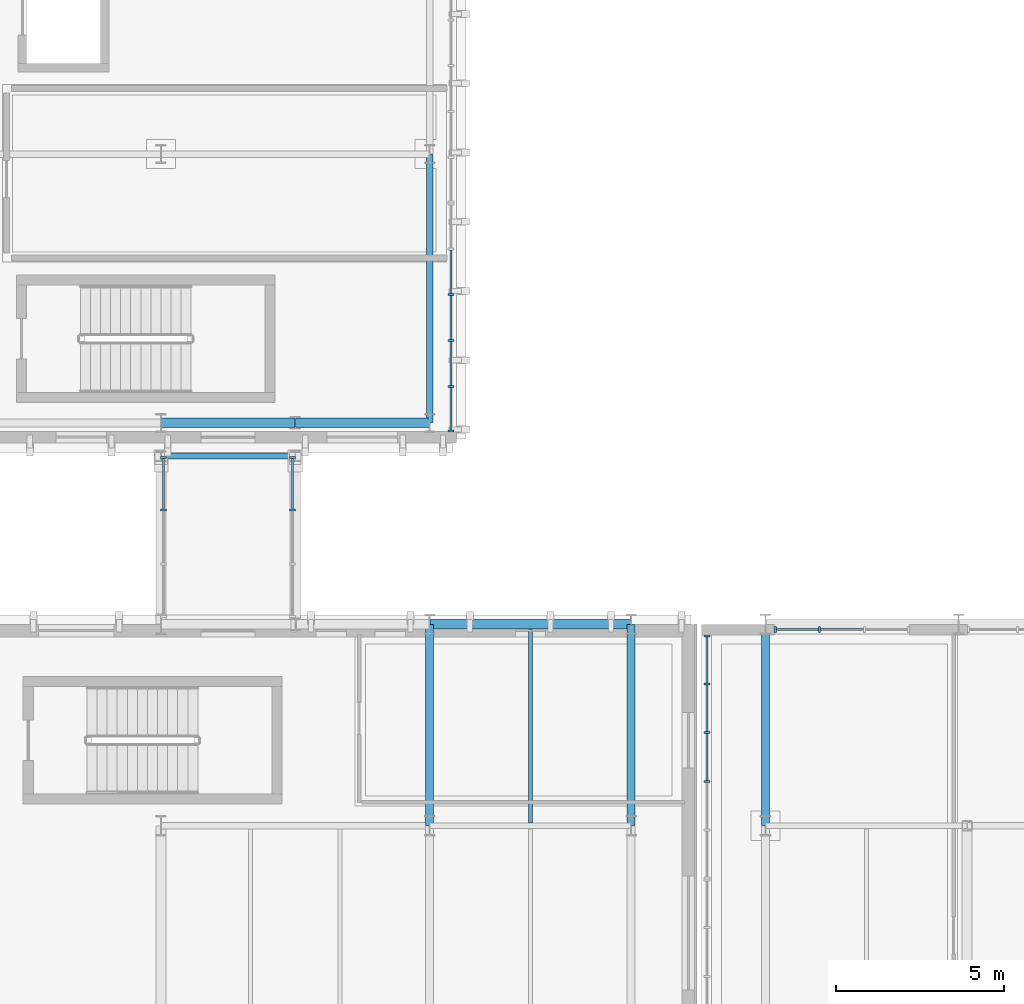
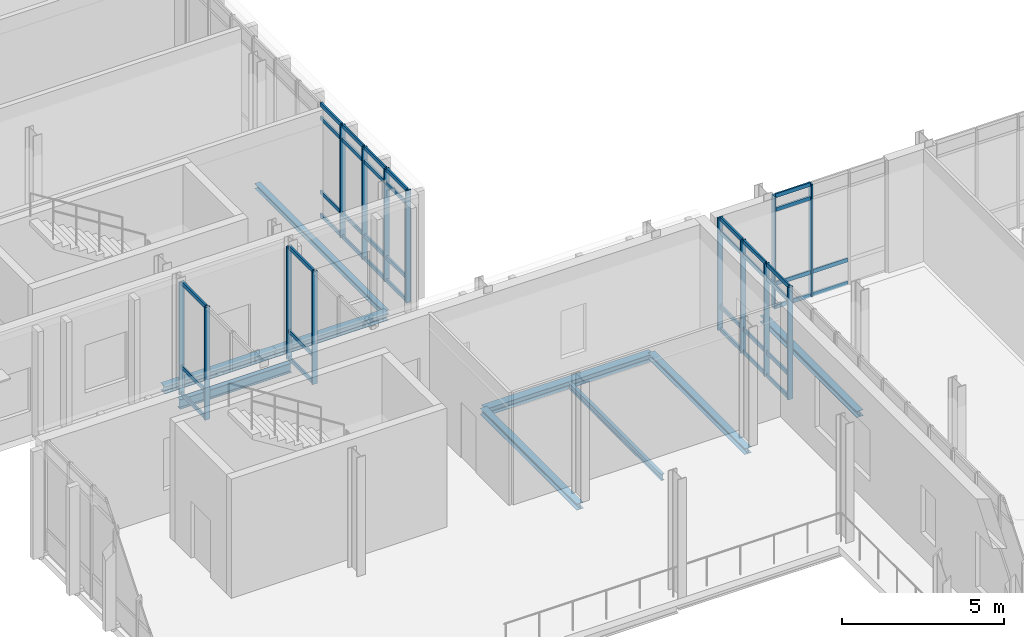
# One storey, part 22 of 100: 54 members, 9 beams, 5 elements without a shape of their own.
"""IFC4 building model written with IfcOpenShell, lengths in metres."""

from ifc_helpers import new_model, si_unit, direction, frame, origin, origin_2d, place, context, subcontext, project, spatial, rectangle, i_section, extrude, material, material_profile, profile_set, type_object, element, aggregate, save


model = new_model("IFC4")

# Units and contexts
model_context = context("Model", 3, precision=1e-05, world=origin(), true_north=direction((0.0, 1.0)))
body_context = subcontext(model_context, "Body", "Model", "MODEL_VIEW")
ifc_project = project(units=[si_unit("LENGTHUNIT", "METRE"), si_unit("AREAUNIT", "SQUARE_METRE"), si_unit("VOLUMEUNIT", "CUBIC_METRE"), si_unit("PLANEANGLEUNIT", "RADIAN"), si_unit("MASSUNIT", "GRAM", prefix="KILO")], contexts=[model_context])

# Site, building, storey
site_placement = place(None, origin())
site = spatial("IfcSite", under=ifc_project, at=site_placement, CompositionType="ELEMENT")
building_placement = place(site_placement, origin())
building = spatial("IfcBuilding", under=site, at=building_placement, Name="Cymarion Research Institute", CompositionType="ELEMENT")
storey_placement = place(building_placement, frame((0.0, 0.0, 4.800048828125)))
storey = spatial("IfcBuildingStorey", under=building, at=storey_placement, Name="L01", CompositionType="ELEMENT", Elevation=4.800048828125)

# Curtain wall, members
ifc_material_1 = material(Name="Anodised aluminium unitised curtain wall with Low-E glazing", Category="aluminium")
curtain_wall_type_1 = type_object("IfcCurtainWallType", Name="UNITISED CURTAIN WALL CW13 4030X4250", PredefinedType="NOTDEFINED", material=ifc_material_1)
curtain_wall_1_placement = place(storey_placement, origin())
curtain_wall_1 = element("IfcCurtainWall", 1, at=curtain_wall_1_placement, inside=storey, type_object=curtain_wall_type_1, Name="L01 V2 unitised curtain wall CW13 #28", PredefinedType="NOTDEFINED")
ifc_material_2 = material(Name="Anodised aluminium framing", Category="aluminium")
ifc_material_profile_1 = material_profile(ifc_material_2, rectangle(XDim=0.06005859375, YDim=0.179931640625, at=origin_2d()), Name="ALU MULLION 60x180")
ifc_profile_set_1 = profile_set([ifc_material_profile_1], Name="Anodised aluminium framing")
member_type_1 = type_object("IfcMemberType", Name="CURTAIN WALL MULLION ML01 60X180", PredefinedType="MULLION", material=ifc_profile_set_1)
member_1_placement = place(storey_placement, frame((58.202392578125, 41.340087890625, 0.0), z_axis=(0.0, 0.0, 1.0), x_axis=(-1.0, 0.0, 0.0)))
member_1 = element("IfcMember", 2, at=member_1_placement, type_object=member_type_1, Name="CW13 mullion 3", PredefinedType="MULLION", context=body_context, shape_type="SweptSolid", body=[
    extrude(rectangle(XDim=0.06005859375, YDim=0.179931640625, at=origin_2d()), origin(), (0.0, 0.0, 1.0), 4.25),
])
member_2_placement = place(storey_placement, frame((56.889892578125, 41.340087890625, 0.0), z_axis=(0.0, 0.0, 1.0), x_axis=(-1.0, 0.0, 0.0)))
member_2 = element("IfcMember", 3, at=member_2_placement, type_object=member_type_1, Name="CW13 mullion 4", PredefinedType="MULLION", context=body_context, shape_type="SweptSolid", body=[
    extrude(rectangle(XDim=0.06005859375, YDim=0.179931640625, at=origin_2d()), origin(), (0.0, 0.0, 1.0), 4.25),
])

curtain_wall_type_2 = type_object("IfcCurtainWallType", Name="UNITISED CURTAIN WALL CW14 7260X4250", PredefinedType="NOTDEFINED", material=ifc_material_1)
curtain_wall_2_placement = place(storey_placement, origin())
curtain_wall_2 = element("IfcCurtainWall", 4, at=curtain_wall_2_placement, inside=storey, type_object=curtain_wall_type_2, Name="L01 V2 unitised curtain wall CW14 #29", PredefinedType="NOTDEFINED")
member_3_placement = place(storey_placement, frame((54.860107421875, 41.14990234375, 0.0), z_axis=(0.0, 0.0, 1.0), x_axis=(0.0, -1.0, 0.0)))
member_3 = element("IfcMember", 5, at=member_3_placement, type_object=member_type_1, Name="CW14 mullion 1", PredefinedType="MULLION", context=body_context, shape_type="SweptSolid", body=[
    extrude(rectangle(XDim=0.06005859375, YDim=0.179931640625, at=origin_2d()), origin(), (0.0, 0.0, 1.0), 4.25),
])
member_4_placement = place(storey_placement, frame((54.860107421875, 39.728759765625, 0.0), z_axis=(0.0, 0.0, 1.0), x_axis=(0.0, -1.0, 0.0)))
member_4 = element("IfcMember", 6, at=member_4_placement, type_object=member_type_1, Name="CW14 mullion 2", PredefinedType="MULLION", context=body_context, shape_type="SweptSolid", body=[
    extrude(rectangle(XDim=0.06005859375, YDim=0.179931640625, at=origin_2d()), origin(), (0.0, 0.0, 1.0), 4.25),
])
member_5_placement = place(storey_placement, frame((54.860107421875, 38.277587890625, 0.0), z_axis=(0.0, 0.0, 1.0), x_axis=(0.0, -1.0, 0.0)))
member_5 = element("IfcMember", 7, at=member_5_placement, type_object=member_type_1, Name="CW14 mullion 3", PredefinedType="MULLION", context=body_context, shape_type="SweptSolid", body=[
    extrude(rectangle(XDim=0.06005859375, YDim=0.179931640625, at=origin_2d()), origin(), (0.0, 0.0, 1.0), 4.25),
])
member_6_placement = place(storey_placement, frame((54.860107421875, 36.826416015625, 0.0), z_axis=(0.0, 0.0, 1.0), x_axis=(0.0, -1.0, 0.0)))
member_6 = element("IfcMember", 8, at=member_6_placement, type_object=member_type_1, Name="CW14 mullion 4", PredefinedType="MULLION", context=body_context, shape_type="SweptSolid", body=[
    extrude(rectangle(XDim=0.06005859375, YDim=0.179931640625, at=origin_2d()), origin(), (0.0, 0.0, 1.0), 4.25),
])

curtain_wall_type_3 = type_object("IfcCurtainWallType", Name="UNITISED CURTAIN WALL CW20 6820X4250", PredefinedType="NOTDEFINED", material=ifc_material_1)
curtain_wall_3_placement = place(storey_placement, origin())
curtain_wall_3 = element("IfcCurtainWall", 9, at=curtain_wall_3_placement, inside=storey, type_object=curtain_wall_type_3, Name="L01 V4 unitised curtain wall CW20 #39", PredefinedType="NOTDEFINED")
member_7_placement = place(storey_placement, frame((47.22998046875, 47.251953125, 0.0), z_axis=(0.0, 0.0, 1.0), x_axis=(0.0, 1.0, 0.0)))
member_7 = element("IfcMember", 10, at=member_7_placement, type_object=member_type_1, Name="CW20 mullion 1", PredefinedType="MULLION", context=body_context, shape_type="SweptSolid", body=[
    extrude(rectangle(XDim=0.06005859375, YDim=0.179931640625, at=origin_2d()), origin(), (0.0, 0.0, 1.0), 4.25),
])
member_8_placement = place(storey_placement, frame((47.22998046875, 48.5859375, 0.0), z_axis=(0.0, 0.0, 1.0), x_axis=(0.0, 1.0, 0.0)))
member_8 = element("IfcMember", 11, at=member_8_placement, type_object=member_type_1, Name="CW20 mullion 2", PredefinedType="MULLION", context=body_context, shape_type="SweptSolid", body=[
    extrude(rectangle(XDim=0.06005859375, YDim=0.179931640625, at=origin_2d()), origin(), (0.0, 0.0, 1.0), 4.25),
])
member_9_placement = place(storey_placement, frame((47.22998046875, 49.94970703125, 0.0), z_axis=(0.0, 0.0, 1.0), x_axis=(0.0, 1.0, 0.0)))
member_9 = element("IfcMember", 12, at=member_9_placement, type_object=member_type_1, Name="CW20 mullion 3", PredefinedType="MULLION", context=body_context, shape_type="SweptSolid", body=[
    extrude(rectangle(XDim=0.06005859375, YDim=0.179931640625, at=origin_2d()), origin(), (0.0, 0.0, 1.0), 4.25),
])
member_10_placement = place(storey_placement, frame((47.22998046875, 51.313720703125, 0.0), z_axis=(0.0, 0.0, 1.0), x_axis=(0.0, 1.0, 0.0)))
member_10 = element("IfcMember", 13, at=member_10_placement, type_object=member_type_1, Name="CW20 mullion 4", PredefinedType="MULLION", context=body_context, shape_type="SweptSolid", body=[
    extrude(rectangle(XDim=0.06005859375, YDim=0.179931640625, at=origin_2d()), origin(), (0.0, 0.0, 1.0), 4.25),
])

curtain_wall_type_4 = type_object("IfcCurtainWallType", Name="UNITISED CURTAIN WALL CW24 4800X4260", PredefinedType="NOTDEFINED", material=ifc_material_1)
curtain_wall_4_placement = place(storey_placement, origin())
curtain_wall_4 = element("IfcCurtainWall", 14, at=curtain_wall_4_placement, inside=storey, type_object=curtain_wall_type_4, Name="L01 SP1 sky-passage glazed wall 1", PredefinedType="NOTDEFINED")
member_11_placement = place(storey_placement, frame((38.679931640625, 44.89990234375, 0.0), z_axis=(0.0, 0.0, 1.0), x_axis=(0.0, 1.0, 0.0)))
member_11 = element("IfcMember", 15, at=member_11_placement, type_object=member_type_1, Name="CW24 mullion 3", PredefinedType="MULLION", context=body_context, shape_type="SweptSolid", body=[
    extrude(rectangle(XDim=0.06005859375, YDim=0.179931640625, at=origin_2d()), origin(), (0.0, 0.0, 1.0), 4.260009765625),
])
member_12_placement = place(storey_placement, frame((38.679931640625, 46.469970703125, 0.0), z_axis=(0.0, 0.0, 1.0), x_axis=(0.0, 1.0, 0.0)))
member_12 = element("IfcMember", 16, at=member_12_placement, type_object=member_type_1, Name="CW24 mullion 4", PredefinedType="MULLION", context=body_context, shape_type="SweptSolid", body=[
    extrude(rectangle(XDim=0.06005859375, YDim=0.179931640625, at=origin_2d()), origin(), (0.0, 0.0, 1.0), 4.260009765625),
])

curtain_wall_5_placement = place(storey_placement, origin())
curtain_wall_5 = element("IfcCurtainWall", 17, at=curtain_wall_5_placement, inside=storey, type_object=curtain_wall_type_4, Name="L01 SP1 sky-passage glazed wall 2", PredefinedType="NOTDEFINED")
member_13_placement = place(storey_placement, frame((42.52001953125, 44.89990234375, 0.0), z_axis=(0.0, 0.0, 1.0), x_axis=(0.0, 1.0, 0.0)))
member_13 = element("IfcMember", 18, at=member_13_placement, type_object=member_type_1, Name="CW24 mullion 3", PredefinedType="MULLION", context=body_context, shape_type="SweptSolid", body=[
    extrude(rectangle(XDim=0.06005859375, YDim=0.179931640625, at=origin_2d()), origin(), (0.0, 0.0, 1.0), 4.260009765625),
])
member_14_placement = place(storey_placement, frame((42.52001953125, 46.469970703125, 0.0), z_axis=(0.0, 0.0, 1.0), x_axis=(0.0, 1.0, 0.0)))
member_14 = element("IfcMember", 19, at=member_14_placement, type_object=member_type_1, Name="CW24 mullion 4", PredefinedType="MULLION", context=body_context, shape_type="SweptSolid", body=[
    extrude(rectangle(XDim=0.06005859375, YDim=0.179931640625, at=origin_2d()), origin(), (0.0, 0.0, 1.0), 4.260009765625),
])

# Member
ifc_material_profile_2 = material_profile(ifc_material_2, rectangle(XDim=0.06005859375, YDim=0.14990234375, at=origin_2d()), Name="ALU TRANSOM 60x150")
ifc_profile_set_2 = profile_set([ifc_material_profile_2], Name="Anodised aluminium framing")
member_type_2 = type_object("IfcMemberType", Name="CURTAIN WALL TRANSOM TR01 60X150", PredefinedType="USERDEFINED", material=ifc_profile_set_2)
member_15_placement = place(storey_placement, frame((59.514892578125, 41.340087890625, 0.030029296875), z_axis=(-1.0, 0.0, 0.0), x_axis=(0.0, -1.0, 0.0)))
member_15 = element("IfcMember", 20, at=member_15_placement, type_object=member_type_2, Name="CW13 transom 2.1", ObjectType="TRANSOM", PredefinedType="USERDEFINED", context=body_context, shape_type="SweptSolid", body=[
    extrude(rectangle(XDim=0.06005859375, YDim=0.14990234375, at=origin_2d()), origin(), (0.0, 0.0, 1.0), 1.282470703125),
])

member_16_placement = place(storey_placement, frame((59.514892578125, 41.340087890625, 0.89990234375), z_axis=(-1.0, 0.0, 0.0), x_axis=(0.0, -1.0, 0.0)))
member_16 = element("IfcMember", 21, at=member_16_placement, type_object=member_type_2, Name="CW13 transom 2.2", ObjectType="TRANSOM", PredefinedType="USERDEFINED", context=body_context, shape_type="SweptSolid", body=[
    extrude(rectangle(XDim=0.06005859375, YDim=0.14990234375, at=origin_2d()), origin(), (0.0, 0.0, 1.0), 1.282470703125),
])

member_17_placement = place(storey_placement, frame((58.17236328125, 41.340087890625, 0.030029296875), z_axis=(-1.0, 0.0, 0.0), x_axis=(0.0, -1.0, 0.0)))
member_17 = element("IfcMember", 22, at=member_17_placement, type_object=member_type_2, Name="CW13 transom 3.1", ObjectType="TRANSOM", PredefinedType="USERDEFINED", context=body_context, shape_type="SweptSolid", body=[
    extrude(rectangle(XDim=0.06005859375, YDim=0.14990234375, at=origin_2d()), origin(), (0.0, 0.0, 1.0), 1.25244140625),
])

member_18_placement = place(storey_placement, frame((58.17236328125, 41.340087890625, 0.89990234375), z_axis=(-1.0, 0.0, 0.0), x_axis=(0.0, -1.0, 0.0)))
member_18 = element("IfcMember", 23, at=member_18_placement, type_object=member_type_2, Name="CW13 transom 3.2", ObjectType="TRANSOM", PredefinedType="USERDEFINED", context=body_context, shape_type="SweptSolid", body=[
    extrude(rectangle(XDim=0.06005859375, YDim=0.14990234375, at=origin_2d()), origin(), (0.0, 0.0, 1.0), 1.25244140625),
])

member_19_placement = place(storey_placement, frame((58.17236328125, 41.340087890625, 3.699951171875), z_axis=(-1.0, 0.0, 0.0), x_axis=(0.0, -1.0, 0.0)))
member_19 = element("IfcMember", 24, at=member_19_placement, type_object=member_type_2, Name="CW13 transom 3.3", ObjectType="TRANSOM", PredefinedType="USERDEFINED", context=body_context, shape_type="SweptSolid", body=[
    extrude(rectangle(XDim=0.06005859375, YDim=0.14990234375, at=origin_2d()), origin(), (0.0, 0.0, 1.0), 1.25244140625),
])

member_20_placement = place(storey_placement, frame((58.17236328125, 41.340087890625, 4.219970703125), z_axis=(-1.0, 0.0, 0.0), x_axis=(0.0, -1.0, 0.0)))
member_20 = element("IfcMember", 25, at=member_20_placement, type_object=member_type_2, Name="CW13 transom 3.4", ObjectType="TRANSOM", PredefinedType="USERDEFINED", context=body_context, shape_type="SweptSolid", body=[
    extrude(rectangle(XDim=0.06005859375, YDim=0.14990234375, at=origin_2d()), origin(), (0.0, 0.0, 1.0), 1.25244140625),
])

aggregate(curtain_wall_1, [member_1, member_2, member_15, member_16, member_17, member_18, member_19, member_20])

member_21_placement = place(storey_placement, frame((54.860107421875, 41.1201171875, 0.030029296875), z_axis=(0.0, -1.0, 0.0), x_axis=(1.0, 0.0, 0.0)))
member_21 = element("IfcMember", 26, at=member_21_placement, type_object=member_type_2, Name="CW14 transom 1.1", ObjectType="TRANSOM", PredefinedType="USERDEFINED", context=body_context, shape_type="SweptSolid", body=[
    extrude(rectangle(XDim=0.06005859375, YDim=0.14990234375, at=origin_2d()), origin(), (0.0, 0.0, 1.0), 1.361328125),
])

member_22_placement = place(storey_placement, frame((54.860107421875, 41.1201171875, 0.89990234375), z_axis=(0.0, -1.0, 0.0), x_axis=(1.0, 0.0, 0.0)))
member_22 = element("IfcMember", 27, at=member_22_placement, type_object=member_type_2, Name="CW14 transom 1.2", ObjectType="TRANSOM", PredefinedType="USERDEFINED", context=body_context, shape_type="SweptSolid", body=[
    extrude(rectangle(XDim=0.06005859375, YDim=0.14990234375, at=origin_2d()), origin(), (0.0, 0.0, 1.0), 1.361328125),
])

member_23_placement = place(storey_placement, frame((54.860107421875, 41.1201171875, 3.699951171875), z_axis=(0.0, -1.0, 0.0), x_axis=(1.0, 0.0, 0.0)))
member_23 = element("IfcMember", 28, at=member_23_placement, type_object=member_type_2, Name="CW14 transom 1.3", ObjectType="TRANSOM", PredefinedType="USERDEFINED", context=body_context, shape_type="SweptSolid", body=[
    extrude(rectangle(XDim=0.06005859375, YDim=0.14990234375, at=origin_2d()), origin(), (0.0, 0.0, 1.0), 1.361328125),
])

member_24_placement = place(storey_placement, frame((54.860107421875, 41.1201171875, 4.219970703125), z_axis=(0.0, -1.0, 0.0), x_axis=(1.0, 0.0, 0.0)))
member_24 = element("IfcMember", 29, at=member_24_placement, type_object=member_type_2, Name="CW14 transom 1.4", ObjectType="TRANSOM", PredefinedType="USERDEFINED", context=body_context, shape_type="SweptSolid", body=[
    extrude(rectangle(XDim=0.06005859375, YDim=0.14990234375, at=origin_2d()), origin(), (0.0, 0.0, 1.0), 1.361328125),
])

member_25_placement = place(storey_placement, frame((54.860107421875, 39.69873046875, 0.030029296875), z_axis=(0.0, -1.0, 0.0), x_axis=(1.0, 0.0, 0.0)))
member_25 = element("IfcMember", 30, at=member_25_placement, type_object=member_type_2, Name="CW14 transom 2.1", ObjectType="TRANSOM", PredefinedType="USERDEFINED", context=body_context, shape_type="SweptSolid", body=[
    extrude(rectangle(XDim=0.06005859375, YDim=0.14990234375, at=origin_2d()), origin(), (0.0, 0.0, 1.0), 1.39111328125),
])

member_26_placement = place(storey_placement, frame((54.860107421875, 39.69873046875, 0.89990234375), z_axis=(0.0, -1.0, 0.0), x_axis=(1.0, 0.0, 0.0)))
member_26 = element("IfcMember", 31, at=member_26_placement, type_object=member_type_2, Name="CW14 transom 2.2", ObjectType="TRANSOM", PredefinedType="USERDEFINED", context=body_context, shape_type="SweptSolid", body=[
    extrude(rectangle(XDim=0.06005859375, YDim=0.14990234375, at=origin_2d()), origin(), (0.0, 0.0, 1.0), 1.39111328125),
])

member_27_placement = place(storey_placement, frame((54.860107421875, 39.69873046875, 3.699951171875), z_axis=(0.0, -1.0, 0.0), x_axis=(1.0, 0.0, 0.0)))
member_27 = element("IfcMember", 32, at=member_27_placement, type_object=member_type_2, Name="CW14 transom 2.3", ObjectType="TRANSOM", PredefinedType="USERDEFINED", context=body_context, shape_type="SweptSolid", body=[
    extrude(rectangle(XDim=0.06005859375, YDim=0.14990234375, at=origin_2d()), origin(), (0.0, 0.0, 1.0), 1.39111328125),
])

member_28_placement = place(storey_placement, frame((54.860107421875, 39.69873046875, 4.219970703125), z_axis=(0.0, -1.0, 0.0), x_axis=(1.0, 0.0, 0.0)))
member_28 = element("IfcMember", 33, at=member_28_placement, type_object=member_type_2, Name="CW14 transom 2.4", ObjectType="TRANSOM", PredefinedType="USERDEFINED", context=body_context, shape_type="SweptSolid", body=[
    extrude(rectangle(XDim=0.06005859375, YDim=0.14990234375, at=origin_2d()), origin(), (0.0, 0.0, 1.0), 1.39111328125),
])

member_29_placement = place(storey_placement, frame((54.860107421875, 38.24755859375, 0.030029296875), z_axis=(0.0, -1.0, 0.0), x_axis=(1.0, 0.0, 0.0)))
member_29 = element("IfcMember", 34, at=member_29_placement, type_object=member_type_2, Name="CW14 transom 3.1", ObjectType="TRANSOM", PredefinedType="USERDEFINED", context=body_context, shape_type="SweptSolid", body=[
    extrude(rectangle(XDim=0.06005859375, YDim=0.14990234375, at=origin_2d()), origin(), (0.0, 0.0, 1.0), 1.39111328125),
])

member_30_placement = place(storey_placement, frame((54.860107421875, 38.24755859375, 0.89990234375), z_axis=(0.0, -1.0, 0.0), x_axis=(1.0, 0.0, 0.0)))
member_30 = element("IfcMember", 35, at=member_30_placement, type_object=member_type_2, Name="CW14 transom 3.2", ObjectType="TRANSOM", PredefinedType="USERDEFINED", context=body_context, shape_type="SweptSolid", body=[
    extrude(rectangle(XDim=0.06005859375, YDim=0.14990234375, at=origin_2d()), origin(), (0.0, 0.0, 1.0), 1.39111328125),
])

member_31_placement = place(storey_placement, frame((54.860107421875, 38.24755859375, 3.699951171875), z_axis=(0.0, -1.0, 0.0), x_axis=(1.0, 0.0, 0.0)))
member_31 = element("IfcMember", 36, at=member_31_placement, type_object=member_type_2, Name="CW14 transom 3.3", ObjectType="TRANSOM", PredefinedType="USERDEFINED", context=body_context, shape_type="SweptSolid", body=[
    extrude(rectangle(XDim=0.06005859375, YDim=0.14990234375, at=origin_2d()), origin(), (0.0, 0.0, 1.0), 1.39111328125),
])

member_32_placement = place(storey_placement, frame((54.860107421875, 38.24755859375, 4.219970703125), z_axis=(0.0, -1.0, 0.0), x_axis=(1.0, 0.0, 0.0)))
member_32 = element("IfcMember", 37, at=member_32_placement, type_object=member_type_2, Name="CW14 transom 3.4", ObjectType="TRANSOM", PredefinedType="USERDEFINED", context=body_context, shape_type="SweptSolid", body=[
    extrude(rectangle(XDim=0.06005859375, YDim=0.14990234375, at=origin_2d()), origin(), (0.0, 0.0, 1.0), 1.39111328125),
])

aggregate(curtain_wall_2, [member_3, member_4, member_5, member_6, member_21, member_22, member_23, member_24, member_25, member_26, member_27, member_28, member_29, member_30, member_31, member_32])

member_33_placement = place(storey_placement, frame((47.22998046875, 47.281982421875, 0.030029296875), z_axis=(0.0, 1.0, 0.0), x_axis=(-1.0, 0.0, 0.0)))
member_33 = element("IfcMember", 38, at=member_33_placement, type_object=member_type_2, Name="CW20 transom 1.1", ObjectType="TRANSOM", PredefinedType="USERDEFINED", context=body_context, shape_type="SweptSolid", body=[
    extrude(rectangle(XDim=0.06005859375, YDim=0.14990234375, at=origin_2d()), origin(), (0.0, 0.0, 1.0), 1.27392578125),
])

member_34_placement = place(storey_placement, frame((47.22998046875, 47.281982421875, 0.89990234375), z_axis=(0.0, 1.0, 0.0), x_axis=(-1.0, 0.0, 0.0)))
member_34 = element("IfcMember", 39, at=member_34_placement, type_object=member_type_2, Name="CW20 transom 1.2", ObjectType="TRANSOM", PredefinedType="USERDEFINED", context=body_context, shape_type="SweptSolid", body=[
    extrude(rectangle(XDim=0.06005859375, YDim=0.14990234375, at=origin_2d()), origin(), (0.0, 0.0, 1.0), 1.27392578125),
])

member_35_placement = place(storey_placement, frame((47.22998046875, 47.281982421875, 3.699951171875), z_axis=(0.0, 1.0, 0.0), x_axis=(-1.0, 0.0, 0.0)))
member_35 = element("IfcMember", 40, at=member_35_placement, type_object=member_type_2, Name="CW20 transom 1.3", ObjectType="TRANSOM", PredefinedType="USERDEFINED", context=body_context, shape_type="SweptSolid", body=[
    extrude(rectangle(XDim=0.06005859375, YDim=0.14990234375, at=origin_2d()), origin(), (0.0, 0.0, 1.0), 1.27392578125),
])

member_36_placement = place(storey_placement, frame((47.22998046875, 47.281982421875, 4.219970703125), z_axis=(0.0, 1.0, 0.0), x_axis=(-1.0, 0.0, 0.0)))
member_36 = element("IfcMember", 41, at=member_36_placement, type_object=member_type_2, Name="CW20 transom 1.4", ObjectType="TRANSOM", PredefinedType="USERDEFINED", context=body_context, shape_type="SweptSolid", body=[
    extrude(rectangle(XDim=0.06005859375, YDim=0.14990234375, at=origin_2d()), origin(), (0.0, 0.0, 1.0), 1.27392578125),
])

member_37_placement = place(storey_placement, frame((47.22998046875, 48.615966796875, 0.030029296875), z_axis=(0.0, 1.0, 0.0), x_axis=(-1.0, 0.0, 0.0)))
member_37 = element("IfcMember", 42, at=member_37_placement, type_object=member_type_2, Name="CW20 transom 2.1", ObjectType="TRANSOM", PredefinedType="USERDEFINED", context=body_context, shape_type="SweptSolid", body=[
    extrude(rectangle(XDim=0.06005859375, YDim=0.14990234375, at=origin_2d()), origin(), (0.0, 0.0, 1.0), 1.303955078125),
])

member_38_placement = place(storey_placement, frame((47.22998046875, 48.615966796875, 0.89990234375), z_axis=(0.0, 1.0, 0.0), x_axis=(-1.0, 0.0, 0.0)))
member_38 = element("IfcMember", 43, at=member_38_placement, type_object=member_type_2, Name="CW20 transom 2.2", ObjectType="TRANSOM", PredefinedType="USERDEFINED", context=body_context, shape_type="SweptSolid", body=[
    extrude(rectangle(XDim=0.06005859375, YDim=0.14990234375, at=origin_2d()), origin(), (0.0, 0.0, 1.0), 1.303955078125),
])

member_39_placement = place(storey_placement, frame((47.22998046875, 48.615966796875, 3.699951171875), z_axis=(0.0, 1.0, 0.0), x_axis=(-1.0, 0.0, 0.0)))
member_39 = element("IfcMember", 44, at=member_39_placement, type_object=member_type_2, Name="CW20 transom 2.3", ObjectType="TRANSOM", PredefinedType="USERDEFINED", context=body_context, shape_type="SweptSolid", body=[
    extrude(rectangle(XDim=0.06005859375, YDim=0.14990234375, at=origin_2d()), origin(), (0.0, 0.0, 1.0), 1.303955078125),
])

member_40_placement = place(storey_placement, frame((47.22998046875, 48.615966796875, 4.219970703125), z_axis=(0.0, 1.0, 0.0), x_axis=(-1.0, 0.0, 0.0)))
member_40 = element("IfcMember", 45, at=member_40_placement, type_object=member_type_2, Name="CW20 transom 2.4", ObjectType="TRANSOM", PredefinedType="USERDEFINED", context=body_context, shape_type="SweptSolid", body=[
    extrude(rectangle(XDim=0.06005859375, YDim=0.14990234375, at=origin_2d()), origin(), (0.0, 0.0, 1.0), 1.303955078125),
])

member_41_placement = place(storey_placement, frame((47.22998046875, 49.979736328125, 0.030029296875), z_axis=(0.0, 1.0, 0.0), x_axis=(-1.0, 0.0, 0.0)))
member_41 = element("IfcMember", 46, at=member_41_placement, type_object=member_type_2, Name="CW20 transom 3.1", ObjectType="TRANSOM", PredefinedType="USERDEFINED", context=body_context, shape_type="SweptSolid", body=[
    extrude(rectangle(XDim=0.06005859375, YDim=0.14990234375, at=origin_2d()), origin(), (0.0, 0.0, 1.0), 1.303955078125),
])

member_42_placement = place(storey_placement, frame((47.22998046875, 49.979736328125, 0.89990234375), z_axis=(0.0, 1.0, 0.0), x_axis=(-1.0, 0.0, 0.0)))
member_42 = element("IfcMember", 47, at=member_42_placement, type_object=member_type_2, Name="CW20 transom 3.2", ObjectType="TRANSOM", PredefinedType="USERDEFINED", context=body_context, shape_type="SweptSolid", body=[
    extrude(rectangle(XDim=0.06005859375, YDim=0.14990234375, at=origin_2d()), origin(), (0.0, 0.0, 1.0), 1.303955078125),
])

member_43_placement = place(storey_placement, frame((47.22998046875, 49.979736328125, 3.699951171875), z_axis=(0.0, 1.0, 0.0), x_axis=(-1.0, 0.0, 0.0)))
member_43 = element("IfcMember", 48, at=member_43_placement, type_object=member_type_2, Name="CW20 transom 3.3", ObjectType="TRANSOM", PredefinedType="USERDEFINED", context=body_context, shape_type="SweptSolid", body=[
    extrude(rectangle(XDim=0.06005859375, YDim=0.14990234375, at=origin_2d()), origin(), (0.0, 0.0, 1.0), 1.303955078125),
])

member_44_placement = place(storey_placement, frame((47.22998046875, 49.979736328125, 4.219970703125), z_axis=(0.0, 1.0, 0.0), x_axis=(-1.0, 0.0, 0.0)))
member_44 = element("IfcMember", 49, at=member_44_placement, type_object=member_type_2, Name="CW20 transom 3.4", ObjectType="TRANSOM", PredefinedType="USERDEFINED", context=body_context, shape_type="SweptSolid", body=[
    extrude(rectangle(XDim=0.06005859375, YDim=0.14990234375, at=origin_2d()), origin(), (0.0, 0.0, 1.0), 1.303955078125),
])

member_45_placement = place(storey_placement, frame((47.22998046875, 51.34375, 0.030029296875), z_axis=(0.0, 1.0, 0.0), x_axis=(-1.0, 0.0, 0.0)))
member_45 = element("IfcMember", 50, at=member_45_placement, type_object=member_type_2, Name="CW20 transom 4.1", ObjectType="TRANSOM", PredefinedType="USERDEFINED", context=body_context, shape_type="SweptSolid", body=[
    extrude(rectangle(XDim=0.06005859375, YDim=0.14990234375, at=origin_2d()), origin(), (0.0, 0.0, 1.0), 1.303955078125),
])

member_46_placement = place(storey_placement, frame((47.22998046875, 51.34375, 0.89990234375), z_axis=(0.0, 1.0, 0.0), x_axis=(-1.0, 0.0, 0.0)))
member_46 = element("IfcMember", 51, at=member_46_placement, type_object=member_type_2, Name="CW20 transom 4.2", ObjectType="TRANSOM", PredefinedType="USERDEFINED", context=body_context, shape_type="SweptSolid", body=[
    extrude(rectangle(XDim=0.06005859375, YDim=0.14990234375, at=origin_2d()), origin(), (0.0, 0.0, 1.0), 1.303955078125),
])

member_47_placement = place(storey_placement, frame((47.22998046875, 51.34375, 3.699951171875), z_axis=(0.0, 1.0, 0.0), x_axis=(-1.0, 0.0, 0.0)))
member_47 = element("IfcMember", 52, at=member_47_placement, type_object=member_type_2, Name="CW20 transom 4.3", ObjectType="TRANSOM", PredefinedType="USERDEFINED", context=body_context, shape_type="SweptSolid", body=[
    extrude(rectangle(XDim=0.06005859375, YDim=0.14990234375, at=origin_2d()), origin(), (0.0, 0.0, 1.0), 1.303955078125),
])

member_48_placement = place(storey_placement, frame((47.22998046875, 51.34375, 4.219970703125), z_axis=(0.0, 1.0, 0.0), x_axis=(-1.0, 0.0, 0.0)))
member_48 = element("IfcMember", 53, at=member_48_placement, type_object=member_type_2, Name="CW20 transom 4.4", ObjectType="TRANSOM", PredefinedType="USERDEFINED", context=body_context, shape_type="SweptSolid", body=[
    extrude(rectangle(XDim=0.06005859375, YDim=0.14990234375, at=origin_2d()), origin(), (0.0, 0.0, 1.0), 1.303955078125),
])

aggregate(curtain_wall_3, [member_7, member_8, member_9, member_10, member_33, member_34, member_35, member_36, member_37, member_38, member_39, member_40, member_41, member_42, member_43, member_44, member_45, member_46, member_47, member_48])

member_49_placement = place(storey_placement, frame((38.679931640625, 44.929931640625, 0.030029296875), z_axis=(0.0, 1.0, 0.0), x_axis=(-1.0, 0.0, 0.0)))
member_49 = element("IfcMember", 54, at=member_49_placement, type_object=member_type_2, Name="CW24 transom 3.1", ObjectType="TRANSOM", PredefinedType="USERDEFINED", context=body_context, shape_type="SweptSolid", body=[
    extrude(rectangle(XDim=0.06005859375, YDim=0.14990234375, at=origin_2d()), origin(), (0.0, 0.0, 1.0), 1.510009765625),
])

member_50_placement = place(storey_placement, frame((38.679931640625, 44.929931640625, 1.050048828125), z_axis=(0.0, 1.0, 0.0), x_axis=(-1.0, 0.0, 0.0)))
member_50 = element("IfcMember", 55, at=member_50_placement, type_object=member_type_2, Name="CW24 transom 3.2", ObjectType="TRANSOM", PredefinedType="USERDEFINED", context=body_context, shape_type="SweptSolid", body=[
    extrude(rectangle(XDim=0.06005859375, YDim=0.14990234375, at=origin_2d()), origin(), (0.0, 0.0, 1.0), 1.510009765625),
])

member_51_placement = place(storey_placement, frame((38.679931640625, 44.929931640625, 4.22998046875), z_axis=(0.0, 1.0, 0.0), x_axis=(-1.0, 0.0, 0.0)))
member_51 = element("IfcMember", 56, at=member_51_placement, type_object=member_type_2, Name="CW24 transom 3.3", ObjectType="TRANSOM", PredefinedType="USERDEFINED", context=body_context, shape_type="SweptSolid", body=[
    extrude(rectangle(XDim=0.06005859375, YDim=0.14990234375, at=origin_2d()), origin(), (0.0, 0.0, 1.0), 1.510009765625),
])

aggregate(curtain_wall_4, [member_11, member_12, member_49, member_50, member_51])

member_52_placement = place(storey_placement, frame((42.52001953125, 44.929931640625, 0.030029296875), z_axis=(0.0, 1.0, 0.0), x_axis=(-1.0, 0.0, 0.0)))
member_52 = element("IfcMember", 57, at=member_52_placement, type_object=member_type_2, Name="CW24 transom 3.1", ObjectType="TRANSOM", PredefinedType="USERDEFINED", context=body_context, shape_type="SweptSolid", body=[
    extrude(rectangle(XDim=0.06005859375, YDim=0.14990234375, at=origin_2d()), origin(), (0.0, 0.0, 1.0), 1.510009765625),
])

member_53_placement = place(storey_placement, frame((42.52001953125, 44.929931640625, 1.050048828125), z_axis=(0.0, 1.0, 0.0), x_axis=(-1.0, 0.0, 0.0)))
member_53 = element("IfcMember", 58, at=member_53_placement, type_object=member_type_2, Name="CW24 transom 3.2", ObjectType="TRANSOM", PredefinedType="USERDEFINED", context=body_context, shape_type="SweptSolid", body=[
    extrude(rectangle(XDim=0.06005859375, YDim=0.14990234375, at=origin_2d()), origin(), (0.0, 0.0, 1.0), 1.510009765625),
])

member_54_placement = place(storey_placement, frame((42.52001953125, 44.929931640625, 4.22998046875), z_axis=(0.0, 1.0, 0.0), x_axis=(-1.0, 0.0, 0.0)))
member_54 = element("IfcMember", 59, at=member_54_placement, type_object=member_type_2, Name="CW24 transom 3.3", ObjectType="TRANSOM", PredefinedType="USERDEFINED", context=body_context, shape_type="SweptSolid", body=[
    extrude(rectangle(XDim=0.06005859375, YDim=0.14990234375, at=origin_2d()), origin(), (0.0, 0.0, 1.0), 1.510009765625),
])

aggregate(curtain_wall_5, [member_13, member_14, member_52, member_53, member_54])

# Beams
ifc_material_3 = material(Name="Steel S355", Category="steel")
ifc_material_profile_3 = material_profile(ifc_material_3, i_section(OverallWidth=0.169921875, OverallDepth=0.360107421875, WebThickness=0.008056640625, FlangeThickness=0.0126953125, FilletRadius=0.01806640625, at=origin_2d()), Name="IPE 360")
ifc_profile_set_3 = profile_set([ifc_material_profile_3], Name="Steel S355")
beam_type_1 = type_object("IfcBeamType", Name="PRIMARY GIRDER BM06 IPE 360", PredefinedType="BEAM", material=ifc_profile_set_3)
beam_1_placement = place(storey_placement, frame((38.60595703125, 46.5, -0.340087890625), z_axis=(1.0, 0.0, 0.0), x_axis=(0.0, 1.0, 0.0)))
element("IfcBeam", 60, at=beam_1_placement, inside=storey, type_object=beam_type_1, Name="L01 V3 girder BM06 #562", PredefinedType="BEAM", context=body_context, shape_type="SweptSolid", body=[
    extrude(i_section(OverallWidth=0.169921875, OverallDepth=0.360107421875, WebThickness=0.008056640625, FlangeThickness=0.0126953125, FilletRadius=0.01806640625, at=origin_2d()), origin(), (0.0, 0.0, 1.0), 3.988037109375),
])
ifc_material_profile_4 = material_profile(ifc_material_3, i_section(OverallWidth=0.1201171875, OverallDepth=0.239990234375, WebThickness=0.006103515625, FlangeThickness=0.009765625, FilletRadius=0.014892578125, at=origin_2d()), Name="IPE 240")
ifc_profile_set_4 = profile_set([ifc_material_profile_4], Name="Steel S355")
beam_type_2 = type_object("IfcBeamType", Name="SECONDARY JOIST JS04 IPE 240", PredefinedType="JOIST", material=ifc_profile_set_4)
beam_2_placement = place(storey_placement, frame((49.60009765625, 35.589111328125, -0.3701171875), z_axis=(0.0, 1.0, 0.0), x_axis=(-1.0, 0.0, 0.0)))
element("IfcBeam", 61, at=beam_2_placement, inside=storey, type_object=beam_type_2, Name="L01 V3 secondary joist JS04 #620", PredefinedType="JOIST", context=body_context, shape_type="SweptSolid", body=[
    extrude(i_section(OverallWidth=0.1201171875, OverallDepth=0.239990234375, WebThickness=0.006103515625, FlangeThickness=0.009765625, FilletRadius=0.014892578125, at=origin_2d()), origin(), (0.0, 0.0, 1.0), 5.766845703125),
])
ifc_material_profile_5 = material_profile(ifc_material_3, i_section(OverallWidth=0.280029296875, OverallDepth=0.27001953125, WebThickness=0.008056640625, FlangeThickness=0.012939453125, FilletRadius=0.02392578125, at=origin_2d()), Name="HEA 280")
ifc_profile_set_5 = profile_set([ifc_material_profile_5], Name="Steel S355")
beam_type_3 = type_object("IfcBeamType", Name="SPANDREL BEAM SPB02 HEA 280", PredefinedType="SPANDREL", material=ifc_profile_set_5)
beam_3_placement = place(storey_placement, frame((46.60595703125, 41.5, -0.385009765625), z_axis=(1.0, 0.0, 0.0), x_axis=(0.0, 1.0, 0.0)))
element("IfcBeam", 62, at=beam_3_placement, inside=storey, type_object=beam_type_3, Name="L01 V3 girder SPB02 #561", PredefinedType="SPANDREL", context=body_context, shape_type="SweptSolid", body=[
    extrude(i_section(OverallWidth=0.280029296875, OverallDepth=0.27001953125, WebThickness=0.008056640625, FlangeThickness=0.012939453125, FilletRadius=0.02392578125, at=origin_2d()), origin(), (0.0, 0.0, 1.0), 5.988037109375),
])
for number, where, z_axis, x_axis, name in (
    (63, (38.60595703125, 47.5, -0.385009765625), (1.0, 0.0, 0.0), (0.0, 1.0, 0.0), "L01 V4 girder SPB02 #625"),
    (64, (42.60595703125, 47.5, -0.385009765625), (1.0, 0.0, 0.0), (0.0, 1.0, 0.0), "L01 V4 girder SPB02 #626"),
):
    element("IfcBeam", number, at=place(storey_placement, frame(where, z_axis=z_axis, x_axis=x_axis)), inside=storey, type_object=beam_type_3, Name=name, PredefinedType="SPANDREL", context=body_context, shape_type="SweptSolid", body=[
        extrude(i_section(OverallWidth=0.280029296875, OverallDepth=0.27001953125, WebThickness=0.008056640625, FlangeThickness=0.012939453125, FilletRadius=0.02392578125, at=origin_2d()), origin(), (0.0, 0.0, 1.0), 3.988037109375),
    ])
ifc_material_profile_6 = material_profile(ifc_material_3, i_section(OverallWidth=0.239990234375, OverallDepth=0.22998046875, WebThickness=0.007568359375, FlangeThickness=0.011962890625, FilletRadius=0.02099609375, at=origin_2d()), Name="HEA 240")
ifc_profile_set_6 = profile_set([ifc_material_profile_6], Name="Steel S355")
beam_type_4 = type_object("IfcBeamType", Name="SPANDREL BEAM SPB03 HEA 240", PredefinedType="SPANDREL", material=ifc_profile_set_6)
for number, where, z_axis, x_axis, name in (
    (65, (56.60009765625, 35.506103515625, -0.364990234375), (0.0, 1.0, 0.0), (-1.0, 0.0, 0.0), "L01 V2 girder SPB03 #501"),
    (66, (46.60009765625, 35.506103515625, -0.364990234375), (0.0, 1.0, 0.0), (-1.0, 0.0, 0.0), "L01 V3 girder SPB03 #584"),
    (67, (52.60009765625, 35.506103515625, -0.364990234375), (0.0, 1.0, 0.0), (-1.0, 0.0, 0.0), "L01 V3 girder SPB03 #590"),
):
    element("IfcBeam", number, at=place(storey_placement, frame(where, z_axis=z_axis, x_axis=x_axis)), inside=storey, type_object=beam_type_4, Name=name, PredefinedType="SPANDREL", context=body_context, shape_type="SweptSolid", body=[
        extrude(i_section(OverallWidth=0.239990234375, OverallDepth=0.22998046875, WebThickness=0.007568359375, FlangeThickness=0.011962890625, FilletRadius=0.02099609375, at=origin_2d()), origin(), (0.0, 0.0, 1.0), 5.98779296875),
    ])
ifc_material_profile_7 = material_profile(ifc_material_3, i_section(OverallWidth=0.199951171875, OverallDepth=0.18994140625, WebThickness=0.006591796875, FlangeThickness=0.010009765625, FilletRadius=0.01806640625, at=origin_2d()), Name="HEA 200")
ifc_profile_set_7 = profile_set([ifc_material_profile_7], Name="Steel S355")
beam_type_5 = type_object("IfcBeamType", Name="SPANDREL BEAM SPB04 HEA 200", PredefinedType="SPANDREL", material=ifc_profile_set_7)
beam_4_placement = place(storey_placement, frame((46.60009765625, 47.506103515625, -0.344970703125), z_axis=(0.0, 1.0, 0.0), x_axis=(-1.0, 0.0, 0.0)))
element("IfcBeam", 68, at=beam_4_placement, inside=storey, type_object=beam_type_5, Name="L01 V4 girder SPB04 #666", PredefinedType="SPANDREL", context=body_context, shape_type="SweptSolid", body=[
    extrude(i_section(OverallWidth=0.199951171875, OverallDepth=0.18994140625, WebThickness=0.006591796875, FlangeThickness=0.010009765625, FilletRadius=0.01806640625, at=origin_2d()), origin(), (0.0, 0.0, 1.0), 7.98779296875),
])

save(model, "model.ifc")
